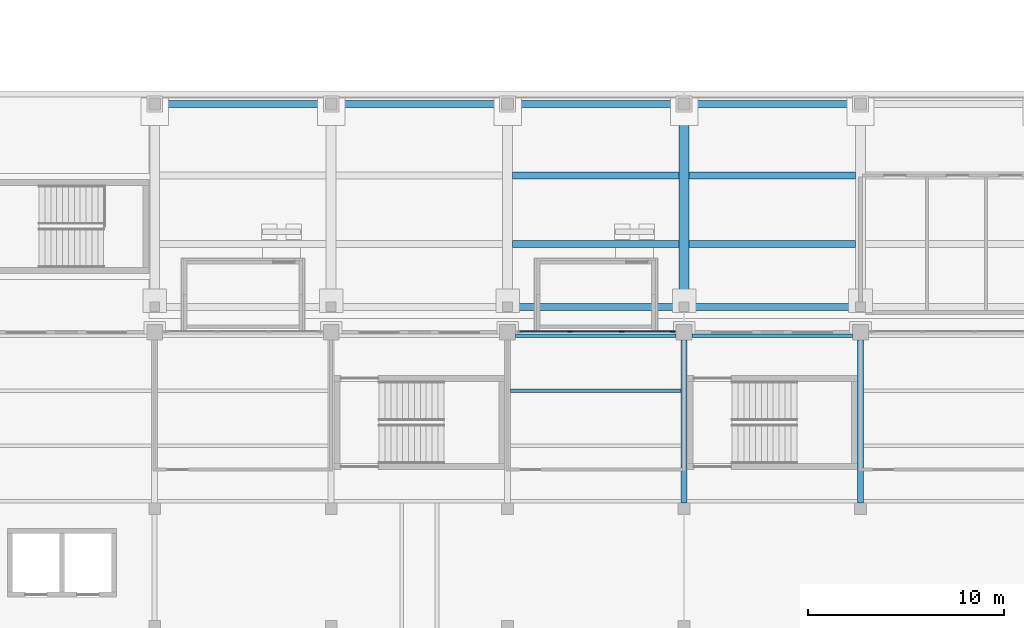
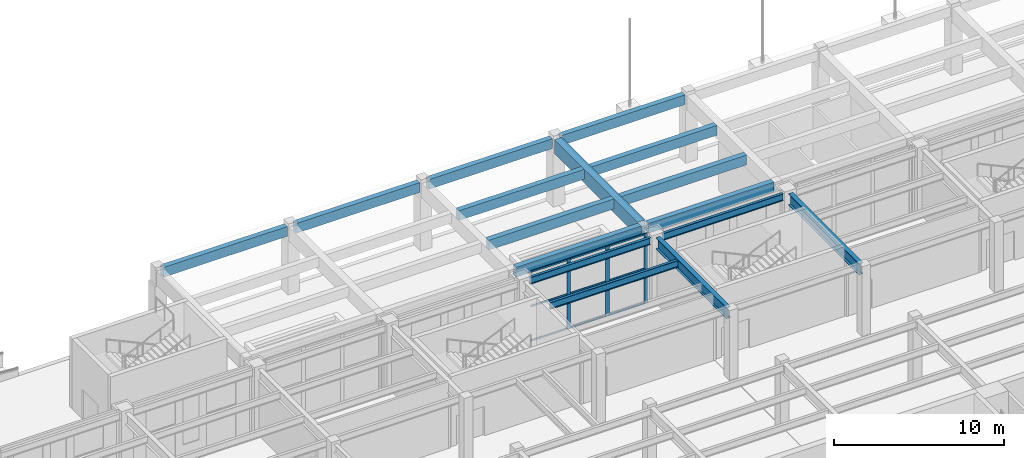
# One storey, part 23 of 77: 16 beams, 12 members, 1 element without a shape of its own.
"""IFC4 building model written with IfcOpenShell, lengths in metres."""

from ifc_helpers import new_model, si_unit, direction, frame, origin, origin_2d, place, context, subcontext, project, spatial, rectangle, i_section, extrude, material, material_profile, profile_set, type_object, element, aggregate, save


model = new_model("IFC4")

# Units and contexts
model_context = context("Model", 3, precision=1e-05, world=origin(), true_north=direction((0.0, 1.0)))
body_context = subcontext(model_context, "Body", "Model", "MODEL_VIEW")
ifc_project = project(units=[si_unit("LENGTHUNIT", "METRE"), si_unit("AREAUNIT", "SQUARE_METRE"), si_unit("VOLUMEUNIT", "CUBIC_METRE"), si_unit("PLANEANGLEUNIT", "RADIAN"), si_unit("MASSUNIT", "GRAM", prefix="KILO")], contexts=[model_context])

# Site, building, storey
site_placement = place(None, origin())
site = spatial("IfcSite", under=ifc_project, at=site_placement, CompositionType="ELEMENT")
building_placement = place(site_placement, origin())
building = spatial("IfcBuilding", under=site, at=building_placement, Name="Aravalli Gate Trade Fair Centre", CompositionType="ELEMENT")
storey_placement = place(building_placement, origin())
storey = spatial("IfcBuildingStorey", under=building, at=storey_placement, Name="L00", CompositionType="ELEMENT", Elevation=0.0)

# Beams
ifc_material_1 = material(Name="Concrete M40", Category="concrete")
ifc_material_profile_1 = material_profile(ifc_material_1, rectangle(XDim=0.5, YDim=1.0, at=origin_2d()), Name="Arcade cross beam 500 x 1000")
ifc_profile_set_1 = profile_set([ifc_material_profile_1], Name="Concrete M40")
beam_type_1 = type_object("IfcBeamType", Name="Arcade cross beam 500 x 1000", PredefinedType="BEAM", material=ifc_profile_set_1)
beam_1_placement = place(storey_placement, frame((51.0, 134.550048828125, 4.25), z_axis=(0.0, 1.0, 0.0), x_axis=(-1.0, 0.0, 0.0)))
element("IfcBeam", 1, at=beam_1_placement, inside=storey, type_object=beam_type_1, Name="Arcade cross beam 06", PredefinedType="BEAM", context=body_context, shape_type="SweptSolid", body=[
    extrude(rectangle(XDim=0.5, YDim=1.0, at=origin_2d()), origin(), (0.0, 0.0, 1.0), 9.800048828125),
])
ifc_material_profile_2 = material_profile(ifc_material_1, rectangle(XDim=0.35009765625, YDim=0.699951171875, at=origin_2d()), Name="Arcade terrace beam 350 x 700")
ifc_profile_set_2 = profile_set([ifc_material_profile_2], Name="Concrete M40")
beam_type_2 = type_object("IfcBeamType", Name="Arcade terrace beam 350 x 700", PredefinedType="BEAM", material=ifc_profile_set_2)
for number, where, z_axis, x_axis, name in (
    (2, (24.300048828125, 144.64990234375, 4.39990234375), (1.0, 0.0, 0.0), (0.0, 1.0, 0.0), "Arcade terrace beam 4.03-04"),
    (3, (33.300048828125, 144.64990234375, 4.39990234375), (1.0, 0.0, 0.0), (0.0, 1.0, 0.0), "Arcade terrace beam 4.04-05"),
):
    element("IfcBeam", number, at=place(storey_placement, frame(where, z_axis=z_axis, x_axis=x_axis)), inside=storey, type_object=beam_type_2, Name=name, PredefinedType="BEAM", context=body_context, shape_type="SweptSolid", body=[
        extrude(rectangle(XDim=0.35009765625, YDim=0.699951171875, at=origin_2d()), origin(), (0.0, 0.0, 1.0), 8.39990234375),
    ])
for number, where, z_axis, x_axis, name in (
    (4, (42.25, 134.300048828125, 4.39990234375), (1.0, 0.0, 0.0), (0.0, 1.0, 0.0), "Arcade terrace beam 1.05-06"),
    (5, (42.25, 137.5, 4.39990234375), (1.0, 0.0, 0.0), (0.0, 1.0, 0.0), "Arcade terrace beam 2.05-06"),
    (6, (42.25, 141.0, 4.39990234375), (1.0, 0.0, 0.0), (0.0, 1.0, 0.0), "Arcade terrace beam 3.05-06"),
):
    element("IfcBeam", number, at=place(storey_placement, frame(where, z_axis=z_axis, x_axis=x_axis)), inside=storey, type_object=beam_type_2, Name=name, PredefinedType="BEAM", context=body_context, shape_type="SweptSolid", body=[
        extrude(rectangle(XDim=0.35009765625, YDim=0.699951171875, at=origin_2d()), origin(), (0.0, 0.0, 1.0), 8.5),
    ])
beam_2_placement = place(storey_placement, frame((42.300048828125, 144.64990234375, 4.39990234375), z_axis=(1.0, 0.0, 0.0), x_axis=(0.0, 1.0, 0.0)))
element("IfcBeam", 7, at=beam_2_placement, inside=storey, type_object=beam_type_2, Name="Arcade terrace beam 4.05-06", PredefinedType="BEAM", context=body_context, shape_type="SweptSolid", body=[
    extrude(rectangle(XDim=0.35009765625, YDim=0.699951171875, at=origin_2d()), origin(), (0.0, 0.0, 1.0), 8.39990234375),
])
for number, where, z_axis, x_axis, name in (
    (8, (51.25, 134.300048828125, 4.39990234375), (1.0, 0.0, 0.0), (0.0, 1.0, 0.0), "Arcade terrace beam 1.06-07"),
    (9, (51.25, 137.5, 4.39990234375), (1.0, 0.0, 0.0), (0.0, 1.0, 0.0), "Arcade terrace beam 2.06-07"),
    (10, (51.25, 141.0, 4.39990234375), (1.0, 0.0, 0.0), (0.0, 1.0, 0.0), "Arcade terrace beam 3.06-07"),
):
    element("IfcBeam", number, at=place(storey_placement, frame(where, z_axis=z_axis, x_axis=x_axis)), inside=storey, type_object=beam_type_2, Name=name, PredefinedType="BEAM", context=body_context, shape_type="SweptSolid", body=[
        extrude(rectangle(XDim=0.35009765625, YDim=0.699951171875, at=origin_2d()), origin(), (0.0, 0.0, 1.0), 8.5),
    ])
beam_3_placement = place(storey_placement, frame((51.300048828125, 144.64990234375, 4.39990234375), z_axis=(1.0, 0.0, 0.0), x_axis=(0.0, 1.0, 0.0)))
element("IfcBeam", 11, at=beam_3_placement, inside=storey, type_object=beam_type_2, Name="Arcade terrace beam 4.06-07", PredefinedType="BEAM", context=body_context, shape_type="SweptSolid", body=[
    extrude(rectangle(XDim=0.35009765625, YDim=0.699951171875, at=origin_2d()), origin(), (0.0, 0.0, 1.0), 8.39990234375),
])

# Curtain wall, members
ifc_material_2 = material(Name="Aluminium and glass", Category="aluminium")
curtain_wall_type = type_object("IfcCurtainWallType", Name="Curtain wall 3000 module, tall", PredefinedType="NOTDEFINED", material=ifc_material_2)
curtain_wall_placement = place(storey_placement, origin())
curtain_wall = element("IfcCurtainWall", 12, at=curtain_wall_placement, inside=storey, type_object=curtain_wall_type, Name="Curtain wall north bay 5 L00", PredefinedType="NOTDEFINED")
ifc_material_3 = material(Name="Aluminium", Category="aluminium")
ifc_material_profile_3 = material_profile(ifc_material_3, rectangle(XDim=0.06005859375, YDim=0.25, at=origin_2d()), Name="Concourse curtain wall mullion 60 x 250")
ifc_profile_set_3 = profile_set([ifc_material_profile_3], Name="Aluminium")
member_type_1 = type_object("IfcMemberType", Name="Concourse curtain wall mullion 60 x 250", PredefinedType="MULLION", material=ifc_profile_set_3)
member_1_placement = place(storey_placement, frame((45.183349609375, 133.044921875, 0.0), z_axis=(0.0, 0.0, 1.0), x_axis=(0.0, 1.0, 0.0)))
member_1 = element("IfcMember", 13, at=member_1_placement, type_object=member_type_1, Name="CW3 mullion 2", PredefinedType="MULLION", context=body_context, shape_type="SweptSolid", body=[
    extrude(rectangle(XDim=0.06005859375, YDim=0.25, at=origin_2d()), origin(), (0.0, 0.0, 1.0), 5.0),
])
member_2_placement = place(storey_placement, frame((47.816650390625, 133.044921875, 0.0), z_axis=(0.0, 0.0, 1.0), x_axis=(0.0, 1.0, 0.0)))
member_2 = element("IfcMember", 14, at=member_2_placement, type_object=member_type_1, Name="CW3 mullion 3", PredefinedType="MULLION", context=body_context, shape_type="SweptSolid", body=[
    extrude(rectangle(XDim=0.06005859375, YDim=0.25, at=origin_2d()), origin(), (0.0, 0.0, 1.0), 5.0),
])
member_3_placement = place(storey_placement, frame((50.419921875, 133.044921875, 0.0), z_axis=(0.0, 0.0, 1.0), x_axis=(0.0, 1.0, 0.0)))
member_3 = element("IfcMember", 15, at=member_3_placement, type_object=member_type_1, Name="CW3 mullion 4", PredefinedType="MULLION", context=body_context, shape_type="SweptSolid", body=[
    extrude(rectangle(XDim=0.06005859375, YDim=0.25, at=origin_2d()), origin(), (0.0, 0.0, 1.0), 5.0),
])
ifc_material_profile_4 = material_profile(ifc_material_3, rectangle(XDim=0.06005859375, YDim=0.1201171875, at=origin_2d()), Name="Concourse curtain wall transom 60 x 120")
ifc_profile_set_4 = profile_set([ifc_material_profile_4], Name="Aluminium")
member_type_2 = type_object("IfcMemberType", Name="Concourse curtain wall transom 60 x 120", PredefinedType="USERDEFINED", material=ifc_profile_set_4)
member_4_placement = place(storey_placement, frame((42.610107421875, 133.044921875, 0.030029296875), z_axis=(1.0, 0.0, 0.0), x_axis=(0.0, 1.0, 0.0)))
member_4 = element("IfcMember", 16, at=member_4_placement, type_object=member_type_2, Name="CW3 transom 1.1", ObjectType="TRANSOM", PredefinedType="USERDEFINED", context=body_context, shape_type="SweptSolid", body=[
    extrude(rectangle(XDim=0.06005859375, YDim=0.1201171875, at=origin_2d()), origin(), (0.0, 0.0, 1.0), 2.543212890625),
])
member_5_placement = place(storey_placement, frame((42.610107421875, 133.044921875, 2.5), z_axis=(1.0, 0.0, 0.0), x_axis=(0.0, 1.0, 0.0)))
member_5 = element("IfcMember", 17, at=member_5_placement, type_object=member_type_2, Name="CW3 transom 1.2", ObjectType="TRANSOM", PredefinedType="USERDEFINED", context=body_context, shape_type="SweptSolid", body=[
    extrude(rectangle(XDim=0.06005859375, YDim=0.1201171875, at=origin_2d()), origin(), (0.0, 0.0, 1.0), 2.543212890625),
])
member_6_placement = place(storey_placement, frame((42.610107421875, 133.044921875, 4.969970703125), z_axis=(1.0, 0.0, 0.0), x_axis=(0.0, 1.0, 0.0)))
member_6 = element("IfcMember", 18, at=member_6_placement, type_object=member_type_2, Name="CW3 transom 1.3", ObjectType="TRANSOM", PredefinedType="USERDEFINED", context=body_context, shape_type="SweptSolid", body=[
    extrude(rectangle(XDim=0.06005859375, YDim=0.1201171875, at=origin_2d()), origin(), (0.0, 0.0, 1.0), 2.543212890625),
])
member_7_placement = place(storey_placement, frame((45.21337890625, 133.044921875, 0.030029296875), z_axis=(1.0, 0.0, 0.0), x_axis=(0.0, 1.0, 0.0)))
member_7 = element("IfcMember", 19, at=member_7_placement, type_object=member_type_2, Name="CW3 transom 2.1", ObjectType="TRANSOM", PredefinedType="USERDEFINED", context=body_context, shape_type="SweptSolid", body=[
    extrude(rectangle(XDim=0.06005859375, YDim=0.1201171875, at=origin_2d()), origin(), (0.0, 0.0, 1.0), 2.5732421875),
])
member_8_placement = place(storey_placement, frame((45.21337890625, 133.044921875, 2.5), z_axis=(1.0, 0.0, 0.0), x_axis=(0.0, 1.0, 0.0)))
member_8 = element("IfcMember", 20, at=member_8_placement, type_object=member_type_2, Name="CW3 transom 2.2", ObjectType="TRANSOM", PredefinedType="USERDEFINED", context=body_context, shape_type="SweptSolid", body=[
    extrude(rectangle(XDim=0.06005859375, YDim=0.1201171875, at=origin_2d()), origin(), (0.0, 0.0, 1.0), 2.5732421875),
])
member_9_placement = place(storey_placement, frame((45.21337890625, 133.044921875, 4.969970703125), z_axis=(1.0, 0.0, 0.0), x_axis=(0.0, 1.0, 0.0)))
member_9 = element("IfcMember", 21, at=member_9_placement, type_object=member_type_2, Name="CW3 transom 2.3", ObjectType="TRANSOM", PredefinedType="USERDEFINED", context=body_context, shape_type="SweptSolid", body=[
    extrude(rectangle(XDim=0.06005859375, YDim=0.1201171875, at=origin_2d()), origin(), (0.0, 0.0, 1.0), 2.5732421875),
])
member_10_placement = place(storey_placement, frame((47.8466796875, 133.044921875, 0.030029296875), z_axis=(1.0, 0.0, 0.0), x_axis=(0.0, 1.0, 0.0)))
member_10 = element("IfcMember", 22, at=member_10_placement, type_object=member_type_2, Name="CW3 transom 3.1", ObjectType="TRANSOM", PredefinedType="USERDEFINED", context=body_context, shape_type="SweptSolid", body=[
    extrude(rectangle(XDim=0.06005859375, YDim=0.1201171875, at=origin_2d()), origin(), (0.0, 0.0, 1.0), 2.543212890625),
])
member_11_placement = place(storey_placement, frame((47.8466796875, 133.044921875, 2.5), z_axis=(1.0, 0.0, 0.0), x_axis=(0.0, 1.0, 0.0)))
member_11 = element("IfcMember", 23, at=member_11_placement, type_object=member_type_2, Name="CW3 transom 3.2", ObjectType="TRANSOM", PredefinedType="USERDEFINED", context=body_context, shape_type="SweptSolid", body=[
    extrude(rectangle(XDim=0.06005859375, YDim=0.1201171875, at=origin_2d()), origin(), (0.0, 0.0, 1.0), 2.543212890625),
])
member_12_placement = place(storey_placement, frame((47.8466796875, 133.044921875, 4.969970703125), z_axis=(1.0, 0.0, 0.0), x_axis=(0.0, 1.0, 0.0)))
member_12 = element("IfcMember", 24, at=member_12_placement, type_object=member_type_2, Name="CW3 transom 3.3", ObjectType="TRANSOM", PredefinedType="USERDEFINED", context=body_context, shape_type="SweptSolid", body=[
    extrude(rectangle(XDim=0.06005859375, YDim=0.1201171875, at=origin_2d()), origin(), (0.0, 0.0, 1.0), 2.543212890625),
])
aggregate(curtain_wall, [member_1, member_2, member_3, member_4, member_5, member_6, member_7, member_8, member_9, member_10, member_11, member_12])

# Beams
ifc_material_4 = material(Name="Steel E350", Category="steel")
ifc_material_profile_5 = material_profile(ifc_material_4, i_section(OverallWidth=0.179931640625, OverallDepth=0.5, WebThickness=0.01025390625, FlangeThickness=0.01708984375, at=origin_2d()), Name="ISMB 500")
ifc_profile_set_5 = profile_set([ifc_material_profile_5], Name="Steel E350")
beam_type_3 = type_object("IfcBeamType", Name="ISMB 500 gallery secondary beam", PredefinedType="JOIST", material=ifc_profile_set_5)
beam_4_placement = place(storey_placement, frame((42.14990234375, 130.0166015625, 4.550048828125), z_axis=(1.0, 0.0, 0.0), x_axis=(0.0, 1.0, 0.0)))
element("IfcBeam", 25, at=beam_4_placement, inside=storey, type_object=beam_type_3, Name="Gallery beam N6 05-06 L01", PredefinedType="JOIST", context=body_context, shape_type="SweptSolid", body=[
    extrude(i_section(OverallWidth=0.179931640625, OverallDepth=0.5, WebThickness=0.01025390625, FlangeThickness=0.01708984375, at=origin_2d()), origin(), (0.0, 0.0, 1.0), 8.7001953125),
])
for number, where, z_axis, x_axis, name in (
    (26, (42.39990234375, 132.830078125, 4.550048828125), (1.0, 0.0, 0.0), (0.0, 1.0, 0.0), "Gallery beam N7 05-06 L01"),
    (27, (51.39990234375, 132.830078125, 4.550048828125), (1.0, 0.0, 0.0), (0.0, 1.0, 0.0), "Gallery beam N7 06-07 L01"),
):
    element("IfcBeam", number, at=place(storey_placement, frame(where, z_axis=z_axis, x_axis=x_axis)), inside=storey, type_object=beam_type_3, Name=name, PredefinedType="JOIST", context=body_context, shape_type="SweptSolid", body=[
        extrude(i_section(OverallWidth=0.179931640625, OverallDepth=0.5, WebThickness=0.01025390625, FlangeThickness=0.01708984375, at=origin_2d()), origin(), (0.0, 0.0, 1.0), 8.2001953125),
    ])
ifc_material_profile_6 = material_profile(ifc_material_4, i_section(OverallWidth=0.300048828125, OverallDepth=0.800048828125, WebThickness=0.011962890625, FlangeThickness=0.02490234375, at=origin_2d()), Name="PG 800x300x12x25")
ifc_profile_set_6 = profile_set([ifc_material_profile_6], Name="Steel E350")
beam_type_4 = type_object("IfcBeamType", Name="PG 800x300x12x25 gallery plate girder", PredefinedType="BEAM", material=ifc_profile_set_6)
for number, where, z_axis, x_axis, name in (
    (28, (51.0, 124.300048828125, 4.39990234375), (0.0, 1.0, 0.0), (-1.0, 0.0, 0.0), "Gallery girder N06 L01"),
    (29, (60.0, 124.300048828125, 4.39990234375), (0.0, 1.0, 0.0), (-1.0, 0.0, 0.0), "Gallery girder N07 L01"),
):
    element("IfcBeam", number, at=place(storey_placement, frame(where, z_axis=z_axis, x_axis=x_axis)), inside=storey, type_object=beam_type_4, Name=name, PredefinedType="BEAM", context=body_context, shape_type="SweptSolid", body=[
        extrude(i_section(OverallWidth=0.300048828125, OverallDepth=0.800048828125, WebThickness=0.011962890625, FlangeThickness=0.02490234375, at=origin_2d()), origin(), (0.0, 0.0, 1.0), 8.300048828125),
    ])

save(model, "model.ifc")
